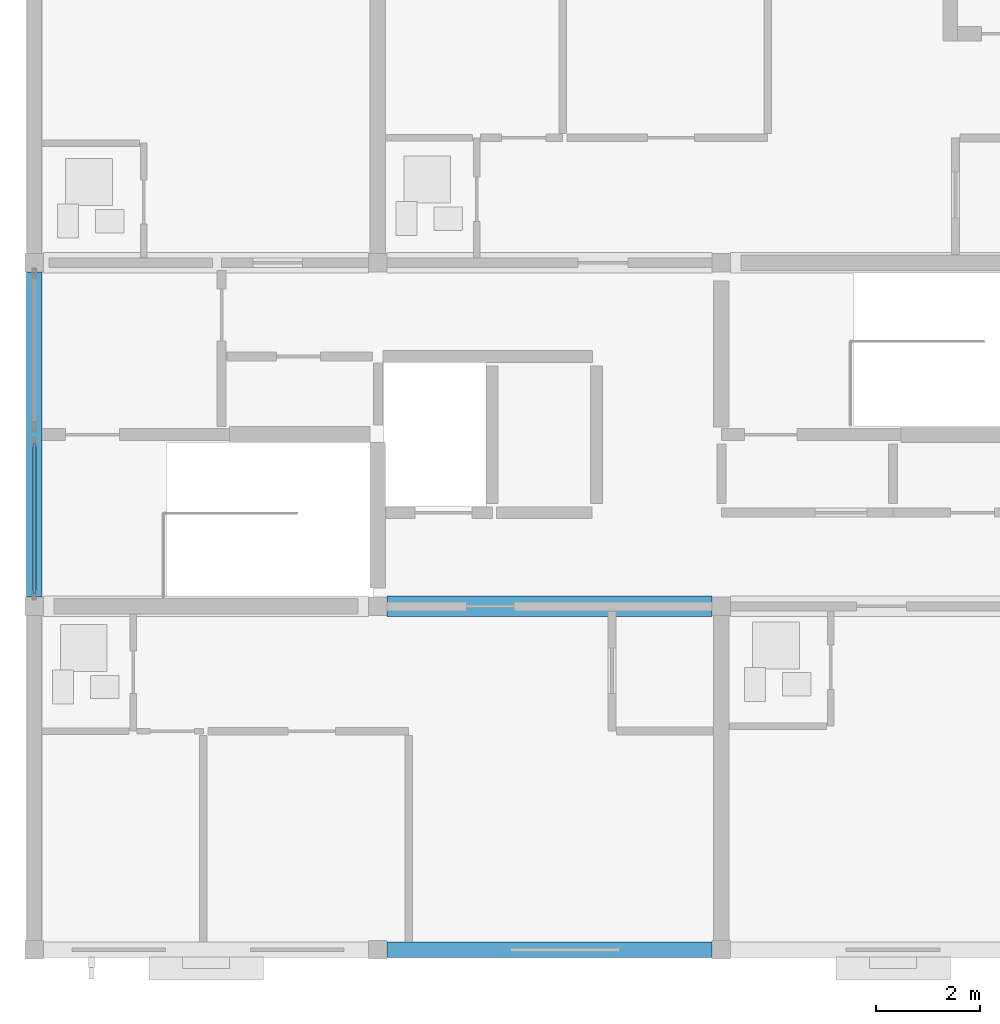
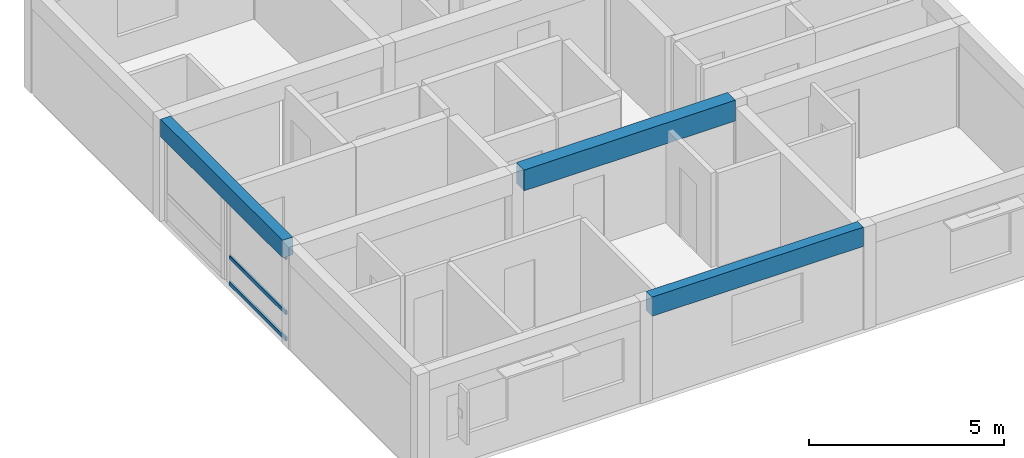
# One storey, part 6 of 49: 3 beams, 3 members, 1 element without a shape of its own.
"""IFC4 building model written with IfcOpenShell, lengths in metres."""

import ifcopenshell
import ifcopenshell.guid

model = None  # the IFC model being written
_history = None  # IfcOwnerHistory: only IFC2X3 demands one
_inside = {}  # id of a spatial element -> (the spatial element, [elements in it])
_under = {}  # id of a project, library or spatial element -> (it, [spatial elements below it])
_declared = {}  # id of a project -> (the project, [libraries it declares])
_typed = {}  # id of a type object -> (the type object, [elements of that type])
_made_of = {}  # id of a material, layer set ... -> (it, [elements and type objects made of it])


def new_model(schema):
    """Start an empty IFC model of exactly this schema.

    Asked for "IFC4X3", IfcOpenShell would pick the latest addendum, in which some entities
    have other attributes; the version numbers below select the first issue.
    IFC2X3 requires an IfcOwnerHistory on every rooted entity: one is made here for all.
    """
    global model, _history
    if schema == "IFC4X3":
        model = ifcopenshell.file(schema_version=(4, 3, 0, 0))
    else:
        model = ifcopenshell.file(schema=schema)
    _inside.clear()
    _under.clear()
    _declared.clear()
    _typed.clear()
    _made_of.clear()
    _history = None
    if model.schema == "IFC2X3":
        org = make("IfcOrganization", Name="unknown")
        user = make(
            "IfcPersonAndOrganization",
            ThePerson=make("IfcPerson", FamilyName="unknown"),
            TheOrganization=org,
        )
        app = make(
            "IfcApplication",
            ApplicationDeveloper=org,
            Version="unknown",
            ApplicationFullName="unknown",
            ApplicationIdentifier="unknown",
        )
        _history = make(
            "IfcOwnerHistory",
            OwningUser=user,
            OwningApplication=app,
            ChangeAction="ADDED",
            CreationDate=0,
        )
    return model


def make(cls, **values):
    """One entity of the class cls with the attributes given. An attribute that is None is left unset."""
    return model.create_entity(
        cls, **{name: value for name, value in values.items() if value is not None}
    )


def rooted(cls, **values):
    """An entity with a GlobalId (a new one), such as an element, a storey or a relation."""
    return make(cls, GlobalId=ifcopenshell.guid.new(), OwnerHistory=_history, **values)


def si_unit(unit_type, name, prefix=None):
    """IfcSIUnit, for example si_unit("LENGTHUNIT", "METRE", prefix="MILLI")."""
    return make("IfcSIUnit", UnitType=unit_type, Prefix=prefix, Name=name)


def assignment(units):
    """IfcUnitAssignment: the units of a project."""
    return None if units is None else make("IfcUnitAssignment", Units=units)


def point(xyz):
    """IfcCartesianPoint."""
    return None if xyz is None else make("IfcCartesianPoint", Coordinates=xyz)


def direction(xyz):
    """IfcDirection."""
    return None if xyz is None else make("IfcDirection", DirectionRatios=xyz)


def frame(location, z_axis=None, x_axis=None):
    """IfcAxis2Placement3D, a coordinate frame: its origin and axes. An axis left out is left unset."""
    return make(
        "IfcAxis2Placement3D",
        Location=point(location),
        Axis=direction(z_axis),
        RefDirection=direction(x_axis),
    )


def frame_2d(location, x_axis=None):
    """IfcAxis2Placement2D, a coordinate frame in the plane: its origin and x axis."""
    return make(
        "IfcAxis2Placement2D", Location=point(location), RefDirection=direction(x_axis)
    )


def origin():
    """The frame at (0, 0, 0) with its axes left unset."""
    return frame((0.0, 0.0, 0.0))


def origin_2d():
    """The frame at (0, 0) in the plane with its x axis left unset."""
    return frame_2d((0.0, 0.0))


def place(relative_to, where):
    """IfcLocalPlacement: puts the frame where relative to a parent placement (None: the world)."""
    return make(
        "IfcLocalPlacement", PlacementRelTo=relative_to, RelativePlacement=where
    )


def context(
    kind, dimensions, precision=None, world=None, true_north=None, identifier=None
):
    """IfcGeometricRepresentationContext, for example the 3D "Model" context."""
    return make(
        "IfcGeometricRepresentationContext",
        ContextIdentifier=identifier,
        ContextType=kind,
        CoordinateSpaceDimension=dimensions,
        Precision=precision,
        WorldCoordinateSystem=world,
        TrueNorth=true_north,
    )


def subcontext(parent, identifier, kind, view, scale=None):
    """IfcGeometricRepresentationSubContext, for example "Body" below "Model"."""
    return make(
        "IfcGeometricRepresentationSubContext",
        ContextIdentifier=identifier,
        ContextType=kind,
        ParentContext=parent,
        TargetScale=scale,
        TargetView=view,
    )


def project(units=None, contexts=None):
    """IfcProject with its units and contexts."""
    return rooted(
        "IfcProject",
        Name="project",
        RepresentationContexts=contexts,
        UnitsInContext=assignment(units),
    )


def spatial(cls, under=None, at=None, **own):
    """A site, building, storey or space (cls), placed at a placement, below another one or the project."""
    s = rooted(cls, ObjectPlacement=at, **own)
    if under is not None:
        _under.setdefault(under.id(), (under, []))[1].append(s)
    return s


def profile(cls, at=None, kind="AREA", **sizes):
    """A parametric profile (cls). Its sizes go by their IFC names, for example OverallWidth=200.0."""
    return make(cls, ProfileType=kind, Position=at, **sizes)


def rectangle(**sizes):
    """IfcRectangleProfileDef."""
    return profile("IfcRectangleProfileDef", **sizes)


def hollow_rectangle(**sizes):
    """IfcRectangleHollowProfileDef."""
    return profile("IfcRectangleHollowProfileDef", **sizes)


def extrude(swept, where, along, depth):
    """IfcExtrudedAreaSolid: the profile swept, set in the frame where, extruded along a direction by depth."""
    return make(
        "IfcExtrudedAreaSolid",
        SweptArea=swept,
        Position=where,
        ExtrudedDirection=direction(along),
        Depth=depth,
    )


def shape(context_of_items, identifier, shape_type, items):
    """IfcShapeRepresentation: the items that make up one representation, for example the "Body"."""
    return make(
        "IfcShapeRepresentation",
        ContextOfItems=context_of_items,
        RepresentationIdentifier=identifier,
        RepresentationType=shape_type,
        Items=items,
    )


def material(Name=None, Category=None):
    """IfcMaterial."""
    return make("IfcMaterial", Name=Name, Category=Category)


def material_profile(
    of_material, cross_section, Name=None, Category=None, Priority=None
):
    """IfcMaterialProfile: a cross section and its material."""
    return make(
        "IfcMaterialProfile",
        Name=Name,
        Material=of_material,
        Profile=cross_section,
        Priority=Priority,
        Category=Category,
    )


def profile_set(profiles, Name=None, composite=None):
    """IfcMaterialProfileSet."""
    return make(
        "IfcMaterialProfileSet",
        Name=Name,
        MaterialProfiles=profiles,
        CompositeProfile=composite,
    )


def made_of(thing, what):
    """Note that an element or type object is made of a material, layer set ...; save() writes the relation."""
    if what is not None:
        _made_of.setdefault(what.id(), (what, []))[1].append(thing)
    return thing


def type_object(cls, material=None, **own):
    """A type object (cls), such as IfcWallType, which elements share."""
    return made_of(rooted(cls, **own), material)


def element(
    cls,
    number,
    at=None,
    inside=None,
    cuts=None,
    type_object=None,
    material=None,
    context=None,
    identifier="Body",
    shape_type=None,
    held_by="IfcProductDefinitionShape",
    body=None,
    shapes=None,
    **own,
):
    """One element of the class cls, such as IfcWall. Its Tag is "e" and its number.

    at: its placement. inside: the storey or other place that contains it. cuts: it is an
    opening in that element (IfcRelVoidsElement). A single representation is given by context,
    identifier, shape_type and body (its items); several are given by shapes. held_by: the class
    of the entity that holds the representations. save() writes the other relations.
    """
    e = rooted(cls, Tag="e%d" % number, ObjectPlacement=at, **own)
    if body is not None:
        shapes = [shape(context, identifier, shape_type, body)]
    if shapes is not None:
        e.Representation = make(held_by, Representations=shapes)
    if inside is not None:
        _inside.setdefault(inside.id(), (inside, []))[1].append(e)
    if cuts is not None:
        rooted(
            "IfcRelVoidsElement", RelatingBuildingElement=cuts, RelatedOpeningElement=e
        )
    if type_object is not None:
        _typed.setdefault(type_object.id(), (type_object, []))[1].append(e)
    return made_of(e, material)


def aggregate(whole, parts):
    """IfcRelAggregates: a whole, such as a stair, and the parts it consists of."""
    return rooted("IfcRelAggregates", RelatingObject=whole, RelatedObjects=parts)


def save(model, path):
    """Write the relations noted so far, then the file.

    IfcRelAggregates (storeys below a building ...), IfcRelContainedInSpatialStructure (elements
    in a storey), IfcRelDefinesByType, IfcRelAssociatesMaterial and IfcRelDeclares: one each for
    every whole, place, type object, material and project.
    """
    for whole, parts in _under.values():
        aggregate(whole, parts)
    for where, things in _inside.values():
        rooted(
            "IfcRelContainedInSpatialStructure",
            RelatedElements=things,
            RelatingStructure=where,
        )
    for kind, things in _typed.values():
        rooted("IfcRelDefinesByType", RelatedObjects=things, RelatingType=kind)
    for what, things in _made_of.values():
        rooted("IfcRelAssociatesMaterial", RelatedObjects=things, RelatingMaterial=what)
    for by, libraries in _declared.values():
        rooted("IfcRelDeclares", RelatingContext=by, RelatedDefinitions=libraries)
    model.write(path)


model = new_model("IFC4")

# Units and contexts
model_context = context("Model", 3, precision=1e-05, world=origin(), true_north=direction((0.0, 1.0)))
body_context = subcontext(model_context, "Body", "Model", "MODEL_VIEW")
ifc_project = project(units=[si_unit("LENGTHUNIT", "METRE"), si_unit("AREAUNIT", "SQUARE_METRE"), si_unit("VOLUMEUNIT", "CUBIC_METRE"), si_unit("PLANEANGLEUNIT", "RADIAN"), si_unit("MASSUNIT", "GRAM", prefix="KILO")], contexts=[model_context])

# Site, building, storey
site_placement = place(None, origin())
site = spatial("IfcSite", under=ifc_project, at=site_placement, CompositionType="ELEMENT")
building_placement = place(site_placement, origin())
building = spatial("IfcBuilding", under=site, at=building_placement, Name="Kernevlak Ridge Housing Community", CompositionType="ELEMENT")
storey_placement = place(building_placement, frame((0.0, 0.0, 30.800048828125)))
storey = spatial("IfcBuildingStorey", under=building, at=storey_placement, Name="L09", CompositionType="ELEMENT", Elevation=30.800048828125)

# Beams
ifc_material_1 = material(Name="Concrete C35/45", Category="concrete")
ifc_material_profile_1 = material_profile(ifc_material_1, rectangle(XDim=0.39990234375, YDim=0.64990234375, at=origin_2d()), Name="RC 400x650")
ifc_profile_set_1 = profile_set([ifc_material_profile_1], Name="Concrete C35/45")
beam_type_1 = type_object("IfcBeamType", Name="B-03", PredefinedType="T_BEAM", material=ifc_profile_set_1)
beam_1_placement = place(storey_placement, frame((22.375, 22.199951171875, 2.875), z_axis=(1.0, 0.0, 0.0), x_axis=(0.0, 1.0, 0.0)))
element("IfcBeam", 1, at=beam_1_placement, inside=storey, type_object=beam_type_1, Name="Beam B-03 L09 1519", PredefinedType="T_BEAM", context=body_context, shape_type="SweptSolid", body=[
    extrude(rectangle(XDim=0.39990234375, YDim=0.64990234375, at=origin_2d()), origin(), (0.0, 0.0, 1.0), 6.25),
])
ifc_material_profile_2 = material_profile(ifc_material_1, rectangle(XDim=0.300048828125, YDim=0.550048828125, at=origin_2d()), Name="RC 300x550")
ifc_profile_set_2 = profile_set([ifc_material_profile_2], Name="Concrete C35/45")
beam_type_2 = type_object("IfcBeamType", Name="SP-01", PredefinedType="SPANDREL", material=ifc_profile_set_2)
beam_2_placement = place(storey_placement, frame((15.60009765625, 22.375, 2.925048828125), z_axis=(0.0, 1.0, 0.0), x_axis=(-1.0, 0.0, 0.0)))
element("IfcBeam", 2, at=beam_2_placement, inside=storey, type_object=beam_type_2, Name="Beam SP-01 L09 1528", PredefinedType="SPANDREL", context=body_context, shape_type="SweptSolid", body=[
    extrude(rectangle(XDim=0.300048828125, YDim=0.550048828125, at=origin_2d()), origin(), (0.0, 0.0, 1.0), 6.25),
])
ifc_material_profile_3 = material_profile(ifc_material_1, rectangle(XDim=0.300048828125, YDim=0.60009765625, at=origin_2d()), Name="RC 300x600")
ifc_profile_set_3 = profile_set([ifc_material_profile_3], Name="Concrete C35/45")
beam_type_3 = type_object("IfcBeamType", Name="SP-02", PredefinedType="SPANDREL", material=ifc_profile_set_3)
beam_3_placement = place(storey_placement, frame((22.375, 15.60009765625, 2.89990234375), z_axis=(1.0, 0.0, 0.0), x_axis=(0.0, 1.0, 0.0)))
element("IfcBeam", 3, at=beam_3_placement, inside=storey, type_object=beam_type_3, Name="Beam SP-02 L09 1516", PredefinedType="SPANDREL", context=body_context, shape_type="SweptSolid", body=[
    extrude(rectangle(XDim=0.300048828125, YDim=0.60009765625, at=origin_2d()), origin(), (0.0, 0.0, 1.0), 6.25),
])

# Curtain wall, members
ifc_material_2 = material(Name="Aluminium EN AW-6060 anodised and laminated glass", Category="aluminium")
curtain_wall_type = type_object("IfcCurtainWallType", Name="CW-10", PredefinedType="NOTDEFINED", material=ifc_material_2)
curtain_wall_placement = place(storey_placement, origin())
curtain_wall = element("IfcCurtainWall", 4, at=curtain_wall_placement, inside=storey, type_object=curtain_wall_type, Name="Curtain wall CW-10 CW-L09-166", PredefinedType="NOTDEFINED")
ifc_material_3 = material(Name="Aluminium EN AW-6060 anodised", Category="aluminium")
ifc_material_profile_4 = material_profile(ifc_material_3, hollow_rectangle(XDim=0.06005859375, YDim=0.1201171875, WallThickness=0.00390625, InnerFilletRadius=0.001953125, OuterFilletRadius=0.00390625, at=origin_2d()), Name="ALU 60x120x4")
ifc_profile_set_4 = profile_set([ifc_material_profile_4], Name="Aluminium EN AW-6060 anodised")
member_type = type_object("IfcMemberType", Name="TM-02", PredefinedType="USERDEFINED", material=ifc_profile_set_4)
member_1_placement = place(storey_placement, frame((15.60009765625, 22.43505859375, 0.030029296875), z_axis=(0.0, 1.0, 0.0), x_axis=(-1.0, 0.0, 0.0)))
member_1 = element("IfcMember", 5, at=member_1_placement, type_object=member_type, Name="CW-10 transom 1.1", ObjectType="TRANSOM", PredefinedType="USERDEFINED", context=body_context, shape_type="SweptSolid", body=[
    extrude(hollow_rectangle(XDim=0.06005859375, YDim=0.1201171875, WallThickness=0.00390625, InnerFilletRadius=0.001953125, OuterFilletRadius=0.00390625, at=origin_2d()), origin(), (0.0, 0.0, 1.0), 2.89501953125),
])
member_2_placement = place(storey_placement, frame((15.60009765625, 22.43505859375, 0.849853515625), z_axis=(0.0, 1.0, 0.0), x_axis=(-1.0, 0.0, 0.0)))
member_2 = element("IfcMember", 6, at=member_2_placement, type_object=member_type, Name="CW-10 transom 1.2", ObjectType="TRANSOM", PredefinedType="USERDEFINED", context=body_context, shape_type="SweptSolid", body=[
    extrude(hollow_rectangle(XDim=0.06005859375, YDim=0.1201171875, WallThickness=0.00390625, InnerFilletRadius=0.001953125, OuterFilletRadius=0.00390625, at=origin_2d()), origin(), (0.0, 0.0, 1.0), 2.89501953125),
])
member_3_placement = place(storey_placement, frame((15.60009765625, 22.43505859375, 2.570068359375), z_axis=(0.0, 1.0, 0.0), x_axis=(-1.0, 0.0, 0.0)))
member_3 = element("IfcMember", 7, at=member_3_placement, type_object=member_type, Name="CW-10 transom 1.3", ObjectType="TRANSOM", PredefinedType="USERDEFINED", context=body_context, shape_type="SweptSolid", body=[
    extrude(hollow_rectangle(XDim=0.06005859375, YDim=0.1201171875, WallThickness=0.00390625, InnerFilletRadius=0.001953125, OuterFilletRadius=0.00390625, at=origin_2d()), origin(), (0.0, 0.0, 1.0), 2.89501953125),
])
aggregate(curtain_wall, [member_1, member_2, member_3])

save(model, "model.ifc")
